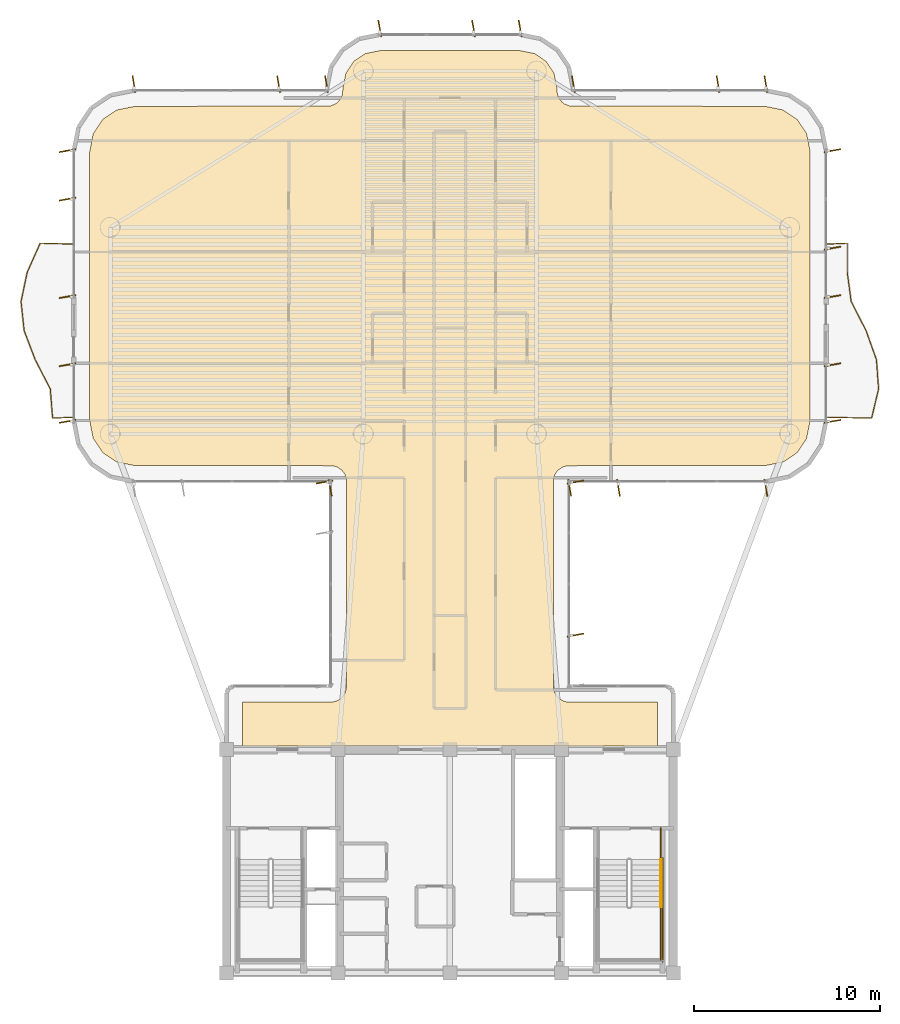
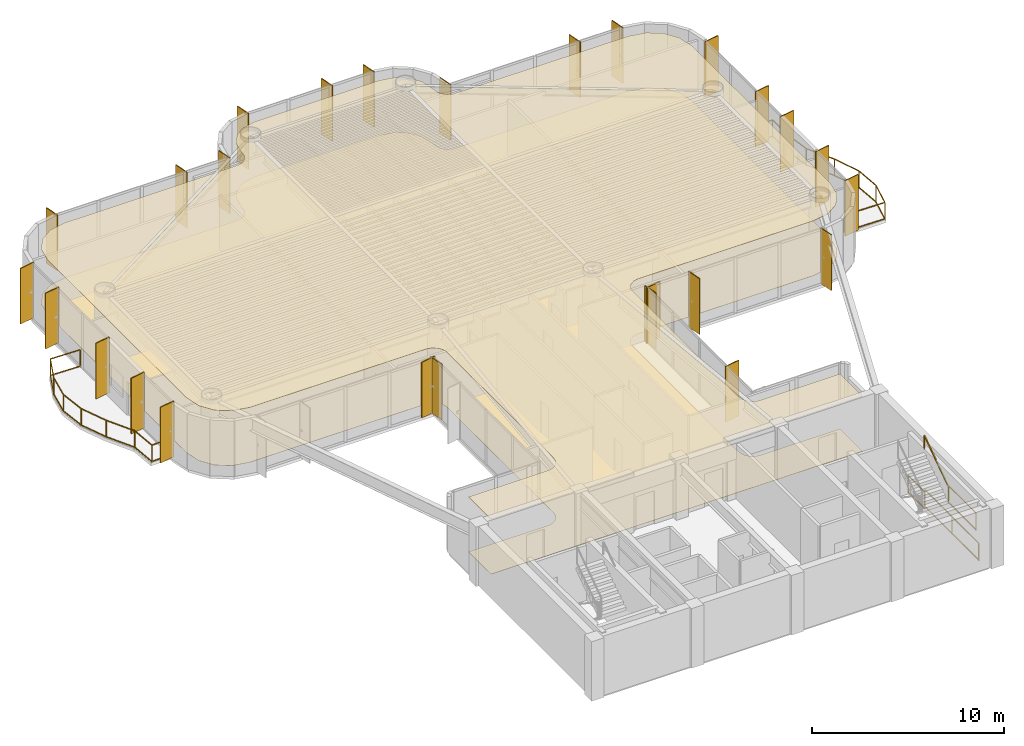
# One storey, part 15 of 15: 26 shading devices, 6 railings, 2 coverings.
"""IFC4 building model written with IfcOpenShell, lengths in metres."""

from ifc_helpers import new_model, si_unit, direction, frame, origin, origin_2d, place, context, subcontext, project, spatial, polyline, rectangle, outline, extrude, source, transform, mapped, material, layer, layer_set, material_profile, profile_set, type_object, element, save


model = new_model("IFC4")

# Units and contexts
model_context = context("Model", 3, precision=1e-05, world=origin(), true_north=direction((0.0, 1.0)))
body_context = subcontext(model_context, "Body", "Model", "MODEL_VIEW")
ifc_project = project(units=[si_unit("LENGTHUNIT", "METRE"), si_unit("AREAUNIT", "SQUARE_METRE"), si_unit("VOLUMEUNIT", "CUBIC_METRE"), si_unit("PLANEANGLEUNIT", "RADIAN"), si_unit("MASSUNIT", "GRAM", prefix="KILO")], contexts=[model_context])

# Site, building, storey
site_placement = place(None, origin())
site = spatial("IfcSite", under=ifc_project, at=site_placement, CompositionType="ELEMENT")
building_placement = place(site_placement, origin())
building = spatial("IfcBuilding", under=site, at=building_placement, Name="Brelvock Crest Care Tower", CompositionType="ELEMENT")
storey_placement = place(building_placement, frame((0.0, 0.0, 171.5400390625)))
storey = spatial("IfcBuildingStorey", under=building, at=storey_placement, Name="L43", CompositionType="ELEMENT", Elevation=171.5400390625)

# Coverings
ifc_material_1 = material(Name="Mineral Fibre Acoustic Ceiling Tile", Category="gypsum")
ifc_layer_1 = layer(ifc_material_1, 0.02490234375, Name="COV-CLG1")
ifc_layer_set_1 = layer_set([ifc_layer_1], Name="Mineral Fibre Acoustic Ceiling Tile")
covering_type_1 = type_object("IfcCoveringType", Name="COV-CLG1", PredefinedType="CEILING", material=ifc_layer_set_1)
covering_1_placement = place(storey_placement, frame((0.0, 0.0, 3.474853515625)))
element("IfcCovering", 1, at=covering_1_placement, inside=storey, type_object=covering_type_1, Name="L43 Acoustic Suspended Ceiling 1", PredefinedType="CEILING", context=body_context, shape_type="SweptSolid", body=[
    extrude(outline(polyline([(24.85009765625, 18.199951171875), (47.14990234375, 18.199951171875), (47.14990234375, 20.550048828125), (42.316650390625, 20.55419921875), (42.1533203125, 20.586669921875), (41.927734375, 20.693359375), (41.742919921875, 20.86083984375), (41.61474609375, 21.07470703125), (41.550048828125, 21.39990234375), (41.56640625, 32.56591796875), (41.650390625, 32.80078125), (41.799072265625, 33.0009765625), (42.07470703125, 33.185302734375), (42.316650390625, 33.245849609375), (52.916259765625, 33.25), (53.892822265625, 33.4443359375), (54.64990234375, 33.9501953125), (55.15576171875, 34.70703125), (55.35009765625, 35.68359375), (55.35009765625, 50.1162109375), (55.15576171875, 51.093017578125), (54.64990234375, 51.849853515625), (53.892822265625, 52.355712890625), (52.916259765625, 52.550048828125), (42.43408203125, 52.56640625), (42.127685546875, 52.693359375), (41.9990234375, 52.799072265625), (41.850341796875, 52.999267578125), (41.766357421875, 53.234130859375), (41.75, 53.516357421875), (41.586181640625, 54.33984375), (41.1669921875, 54.967041015625), (40.539794921875, 55.38623046875), (39.71630859375, 55.550048828125), (32.28369140625, 55.550048828125), (31.460205078125, 55.38623046875), (30.8330078125, 54.967041015625), (30.413818359375, 54.33984375), (30.25, 53.516357421875), (30.233642578125, 53.234130859375), (30.149658203125, 52.999267578125), (30.0009765625, 52.799072265625), (29.872314453125, 52.693359375), (29.56591796875, 52.56640625), (19.083740234375, 52.550048828125), (18.107177734375, 52.355712890625), (17.35009765625, 51.849853515625), (16.84423828125, 51.093017578125), (16.64990234375, 50.1162109375), (16.64990234375, 35.68359375), (16.84423828125, 34.70703125), (17.35009765625, 33.9501953125), (18.107177734375, 33.4443359375), (19.083740234375, 33.25), (29.683349609375, 33.245849609375), (29.92529296875, 33.185302734375), (30.200927734375, 33.0009765625), (30.349609375, 32.80078125), (30.43359375, 32.56591796875), (30.449951171875, 21.39990234375), (30.38525390625, 21.07470703125), (30.257080078125, 20.86083984375), (30.13916015625, 20.742919921875), (29.92529296875, 20.61474609375), (29.683349609375, 20.55419921875), (24.85009765625, 20.550048828125), (24.85009765625, 18.199951171875)])), origin(), (0.0, 0.0, 1.0), 0.025146484375),
])
ifc_material_2 = material(Name="Slip-Resistant Acoustic Vinyl Flooring", Category="finish")
ifc_layer_2 = layer(ifc_material_2, 0.014892578125, Name="COV-FLR1")
ifc_layer_set_2 = layer_set([ifc_layer_2], Name="Slip-Resistant Acoustic Vinyl Flooring")
covering_type_2 = type_object("IfcCoveringType", Name="COV-FLR1", PredefinedType="FLOORING", material=ifc_layer_set_2)
covering_2_placement = place(storey_placement, origin())
element("IfcCovering", 2, at=covering_2_placement, inside=storey, type_object=covering_type_2, Name="L43 Slip-Resistant Acoustic Flooring 1", PredefinedType="FLOORING", context=body_context, shape_type="SweptSolid", body=[
    extrude(outline(polyline([(24.85009765625, 18.199951171875), (47.14990234375, 18.199951171875), (47.14990234375, 20.550048828125), (42.316650390625, 20.55419921875), (42.1533203125, 20.586669921875), (41.927734375, 20.693359375), (41.742919921875, 20.86083984375), (41.61474609375, 21.07470703125), (41.550048828125, 21.39990234375), (41.56640625, 32.56591796875), (41.650390625, 32.80078125), (41.799072265625, 33.0009765625), (42.07470703125, 33.185302734375), (42.316650390625, 33.245849609375), (52.916259765625, 33.25), (53.892822265625, 33.4443359375), (54.64990234375, 33.9501953125), (55.15576171875, 34.70703125), (55.35009765625, 35.68359375), (55.35009765625, 50.1162109375), (55.15576171875, 51.093017578125), (54.64990234375, 51.849853515625), (53.892822265625, 52.355712890625), (52.916259765625, 52.550048828125), (42.43408203125, 52.56640625), (42.127685546875, 52.693359375), (41.9990234375, 52.799072265625), (41.850341796875, 52.999267578125), (41.766357421875, 53.234130859375), (41.75, 53.516357421875), (41.586181640625, 54.33984375), (41.1669921875, 54.967041015625), (40.539794921875, 55.38623046875), (39.71630859375, 55.550048828125), (32.28369140625, 55.550048828125), (31.460205078125, 55.38623046875), (30.8330078125, 54.967041015625), (30.413818359375, 54.33984375), (30.25, 53.516357421875), (30.233642578125, 53.234130859375), (30.149658203125, 52.999267578125), (30.0009765625, 52.799072265625), (29.872314453125, 52.693359375), (29.56591796875, 52.56640625), (19.083740234375, 52.550048828125), (18.107177734375, 52.355712890625), (17.35009765625, 51.849853515625), (16.84423828125, 51.093017578125), (16.64990234375, 50.1162109375), (16.64990234375, 35.68359375), (16.84423828125, 34.70703125), (17.35009765625, 33.9501953125), (18.107177734375, 33.4443359375), (19.083740234375, 33.25), (29.683349609375, 33.245849609375), (29.92529296875, 33.185302734375), (30.200927734375, 33.0009765625), (30.349609375, 32.80078125), (30.43359375, 32.56591796875), (30.449951171875, 21.39990234375), (30.38525390625, 21.07470703125), (30.257080078125, 20.86083984375), (30.13916015625, 20.742919921875), (29.92529296875, 20.61474609375), (29.683349609375, 20.55419921875), (24.85009765625, 20.550048828125), (24.85009765625, 18.199951171875)])), origin(), (0.0, 0.0, 1.0), 0.014892578125),
])

# Railings
ifc_material_3 = material(Name="Dark Glass Double Glazed Low-E", Category="glass")
ifc_layer_3 = layer(ifc_material_3, 0.06005859375, Name="RL-BAL1")
ifc_layer_set_3 = layer_set([ifc_layer_3], Name="Dark Glass Double Glazed Low-E")
railing_type_1 = type_object("IfcRailingType", Name="RL-BAL1", PredefinedType="BALUSTRADE", material=ifc_layer_set_3)
railing_1_placement = place(storey_placement, frame((15.760009765625, 35.85009765625, 0.00390625)))
element("IfcRailing", 3, at=railing_1_placement, inside=storey, type_object=railing_type_1, Name="L43 Safety Balustrade WB-W", PredefinedType="BALUSTRADE", context=body_context, shape_type="SweptSolid", body=[
    extrude(rectangle(XDim=0.048095703125, YDim=0.048095703125, at=origin_2d()), frame((-0.001953125, 0.0, 1.09619140625), z_axis=(-0.998966710972, -0.045447886318, 0.0), x_axis=(0.045447886318, -0.998966710972, 0.0)), (0.0, 0.0, 1.0), 1.09716796875),
    extrude(rectangle(XDim=0.048095703125, YDim=0.048095703125, at=origin_2d()), frame((-0.001953125, 0.0, 0.054931640625), z_axis=(-0.998966710972, -0.045447886318, 0.0), x_axis=(0.045447886318, -0.998966710972, 0.0)), (0.0, 0.0, 1.0), 1.09716796875),
    extrude(rectangle(XDim=0.048095703125, YDim=0.048095703125, at=origin_2d()), frame((-1.100341796875, -0.048095703125, 1.09619140625), z_axis=(-0.077219265236, 0.997014134843, 0.0), x_axis=(-0.997014134843, -0.077219265236, 0.0)), (0.0, 0.0, 1.0), 1.5673828125),
    extrude(rectangle(XDim=0.048095703125, YDim=0.048095703125, at=origin_2d()), frame((-1.100341796875, -0.048095703125, 0.054931640625), z_axis=(-0.077219265236, 0.997014134843, 0.0), x_axis=(-0.997014134843, -0.077219265236, 0.0)), (0.0, 0.0, 1.0), 1.5673828125),
    extrude(rectangle(XDim=0.048095703125, YDim=0.048095703125, at=origin_2d()), frame((-1.222412109375, 1.518310546875, 1.09619140625), z_axis=(-0.459189407307, 0.888338386099, 0.0), x_axis=(-0.888338386099, -0.459189407307, 0.0)), (0.0, 0.0, 1.0), 1.759521484375),
    extrude(rectangle(XDim=0.048095703125, YDim=0.048095703125, at=origin_2d()), frame((-1.222412109375, 1.518310546875, 0.054931640625), z_axis=(-0.459189407307, 0.888338386099, 0.0), x_axis=(-0.888338386099, -0.459189407307, 0.0)), (0.0, 0.0, 1.0), 1.759521484375),
    extrude(rectangle(XDim=0.048095703125, YDim=0.048095703125, at=origin_2d()), frame((-2.031982421875, 3.085205078125, 1.09619140625), z_axis=(-0.355922655104, 0.93451541645, 0.0), x_axis=(-0.93451541645, -0.355922655104, 0.0)), (0.0, 0.0, 1.0), 1.67236328125),
    extrude(rectangle(XDim=0.048095703125, YDim=0.048095703125, at=origin_2d()), frame((-2.031982421875, 3.085205078125, 0.054931640625), z_axis=(-0.355922655104, 0.93451541645, 0.0), x_axis=(-0.93451541645, -0.355922655104, 0.0)), (0.0, 0.0, 1.0), 1.67236328125),
    extrude(rectangle(XDim=0.048095703125, YDim=0.048095703125, at=origin_2d()), frame((-2.628173828125, 4.65185546875, 1.09619140625), z_axis=(-0.104612176701, 0.99451309317, 0.0), x_axis=(-0.99451309317, -0.104612176701, 0.0)), (0.0, 0.0, 1.0), 1.5712890625),
    extrude(rectangle(XDim=0.048095703125, YDim=0.048095703125, at=origin_2d()), frame((-2.628173828125, 4.65185546875, 0.054931640625), z_axis=(-0.104612176701, 0.99451309317, 0.0), x_axis=(-0.99451309317, -0.104612176701, 0.0)), (0.0, 0.0, 1.0), 1.5712890625),
    extrude(rectangle(XDim=0.048095703125, YDim=0.048095703125, at=origin_2d()), frame((-2.792236328125, 6.218505859375, 1.09619140625), z_axis=(0.204703423196, 0.978824043703, 0.0), x_axis=(-0.978824043703, 0.204703423196, 0.0)), (0.0, 0.0, 1.0), 1.596435546875),
    extrude(rectangle(XDim=0.048095703125, YDim=0.048095703125, at=origin_2d()), frame((-2.792236328125, 6.218505859375, 0.054931640625), z_axis=(0.204703423196, 0.978824043703, 0.0), x_axis=(-0.978824043703, 0.204703423196, 0.0)), (0.0, 0.0, 1.0), 1.596435546875),
    extrude(rectangle(XDim=0.048095703125, YDim=0.048095703125, at=origin_2d()), frame((-2.46435546875, 7.784912109375, 1.09619140625), z_axis=(0.407919874283, 0.913017730477, 0.0), x_axis=(-0.913017730477, 0.407919874283, 0.0)), (0.0, 0.0, 1.0), 1.7119140625),
    extrude(rectangle(XDim=0.048095703125, YDim=0.048095703125, at=origin_2d()), frame((-2.46435546875, 7.784912109375, 0.054931640625), z_axis=(0.407919874283, 0.913017730477, 0.0), x_axis=(-0.913017730477, 0.407919874283, 0.0)), (0.0, 0.0, 1.0), 1.7119140625),
    extrude(rectangle(XDim=0.048095703125, YDim=0.048095703125, at=origin_2d()), frame((-1.76318359375, 9.349853515625, 1.09619140625), z_axis=(0.999598265283, -0.028342689403, 0.0), x_axis=(0.028342689403, 0.999598265283, 0.0)), (0.0, 0.0, 1.0), 1.761962890625),
    extrude(rectangle(XDim=0.048095703125, YDim=0.048095703125, at=origin_2d()), frame((-1.76318359375, 9.349853515625, 0.054931640625), z_axis=(0.999598265283, -0.028342689403, 0.0), x_axis=(0.028342689403, 0.999598265283, 0.0)), (0.0, 0.0, 1.0), 1.761962890625),
    extrude(rectangle(XDim=0.0419921875, YDim=0.0419921875, at=origin_2d()), origin(), (0.0, 0.0, 1.0), 1.070068359375),
    extrude(rectangle(XDim=0.0419921875, YDim=0.0419921875, at=origin_2d()), frame((-1.10009765625, -0.050048828125, 0.0)), (0.0, 0.0, 1.0), 1.070068359375),
    extrude(rectangle(XDim=0.0419921875, YDim=0.0419921875, at=origin_2d()), frame((-1.221435546875, 1.5166015625, 0.0)), (0.0, 0.0, 1.0), 1.070068359375),
    extrude(rectangle(XDim=0.0419921875, YDim=0.0419921875, at=origin_2d()), frame((-2.03125, 3.083251953125, 0.0)), (0.0, 0.0, 1.0), 1.070068359375),
    extrude(rectangle(XDim=0.0419921875, YDim=0.0419921875, at=origin_2d()), frame((-2.6279296875, 4.64990234375, 0.0)), (0.0, 0.0, 1.0), 1.070068359375),
    extrude(rectangle(XDim=0.0419921875, YDim=0.0419921875, at=origin_2d()), frame((-2.792724609375, 6.216552734375, 0.0)), (0.0, 0.0, 1.0), 1.070068359375),
    extrude(rectangle(XDim=0.0419921875, YDim=0.0419921875, at=origin_2d()), frame((-2.465087890625, 7.783203125, 0.0)), (0.0, 0.0, 1.0), 1.070068359375),
    extrude(rectangle(XDim=0.0419921875, YDim=0.0419921875, at=origin_2d()), frame((-1.76513671875, 9.349853515625, 0.0)), (0.0, 0.0, 1.0), 1.070068359375),
    extrude(rectangle(XDim=0.0419921875, YDim=0.0419921875, at=origin_2d()), frame((0.0, 9.2998046875, 0.0)), (0.0, 0.0, 1.0), 1.070068359375),
])
railing_2_placement = place(storey_placement, frame((56.239990234375, 35.85009765625, 0.00390625)))
element("IfcRailing", 4, at=railing_2_placement, inside=storey, type_object=railing_type_1, Name="L43 Safety Balustrade WB-E", PredefinedType="BALUSTRADE", context=body_context, shape_type="SweptSolid", body=[
    extrude(rectangle(XDim=0.048095703125, YDim=0.048095703125, at=origin_2d()), frame((0.001953125, 0.0, 1.09619140625), z_axis=(0.999783452903, -0.020809788592, 0.0), x_axis=(0.020809788592, 0.999783452903, 0.0)), (0.0, 0.0, 1.0), 2.401123046875),
    extrude(rectangle(XDim=0.048095703125, YDim=0.048095703125, at=origin_2d()), frame((0.001953125, 0.0, 0.054931640625), z_axis=(0.999783452903, -0.020809788592, 0.0), x_axis=(0.020809788592, 0.999783452903, 0.0)), (0.0, 0.0, 1.0), 2.401123046875),
    extrude(rectangle(XDim=0.048095703125, YDim=0.048095703125, at=origin_2d()), frame((2.405029296875, -0.048095703125, 1.09619140625), z_axis=(0.233361490021, 0.972390052898, 0.0), x_axis=(-0.972390052898, 0.233361490021, 0.0)), (0.0, 0.0, 1.0), 1.607177734375),
    extrude(rectangle(XDim=0.048095703125, YDim=0.048095703125, at=origin_2d()), frame((2.405029296875, -0.048095703125, 0.054931640625), z_axis=(0.233361490021, 0.972390052898, 0.0), x_axis=(-0.972390052898, 0.233361490021, 0.0)), (0.0, 0.0, 1.0), 1.607177734375),
    extrude(rectangle(XDim=0.048095703125, YDim=0.048095703125, at=origin_2d()), frame((2.7802734375, 1.5185546875, 1.09619140625), z_axis=(-0.071346467425, 0.997451593605, 0.0), x_axis=(-0.997451593605, -0.071346467425, 0.0)), (0.0, 0.0, 1.0), 1.566650390625),
    extrude(rectangle(XDim=0.048095703125, YDim=0.048095703125, at=origin_2d()), frame((2.7802734375, 1.5185546875, 0.054931640625), z_axis=(-0.071346467425, 0.997451593605, 0.0), x_axis=(-0.997451593605, -0.071346467425, 0.0)), (0.0, 0.0, 1.0), 1.566650390625),
    extrude(rectangle(XDim=0.048095703125, YDim=0.048095703125, at=origin_2d()), frame((2.667724609375, 3.085205078125, 1.09619140625), z_axis=(-0.335973745247, 0.941871351356, 0.0), x_axis=(-0.941871351356, -0.335973745247, 0.0)), (0.0, 0.0, 1.0), 1.659423828125),
    extrude(rectangle(XDim=0.048095703125, YDim=0.048095703125, at=origin_2d()), frame((2.667724609375, 3.085205078125, 0.054931640625), z_axis=(-0.335973745247, 0.941871351356, 0.0), x_axis=(-0.941871351356, -0.335973745247, 0.0)), (0.0, 0.0, 1.0), 1.659423828125),
    extrude(rectangle(XDim=0.048095703125, YDim=0.048095703125, at=origin_2d()), frame((2.108642578125, 4.651611328125, 1.09619140625), z_axis=(-0.4551330635, 0.890423435512, 0.0), x_axis=(-0.890423435512, -0.4551330635, 0.0)), (0.0, 0.0, 1.0), 1.75537109375),
    extrude(rectangle(XDim=0.048095703125, YDim=0.048095703125, at=origin_2d()), frame((2.108642578125, 4.651611328125, 0.054931640625), z_axis=(-0.4551330635, 0.890423435512, 0.0), x_axis=(-0.890423435512, -0.4551330635, 0.0)), (0.0, 0.0, 1.0), 1.75537109375),
    extrude(rectangle(XDim=0.048095703125, YDim=0.048095703125, at=origin_2d()), frame((1.30859375, 6.218505859375, 1.09619140625), z_axis=(-0.132072655877, 0.99124003832, 0.0), x_axis=(-0.99124003832, -0.132072655877, 0.0)), (0.0, 0.0, 1.0), 1.576416015625),
    extrude(rectangle(XDim=0.048095703125, YDim=0.048095703125, at=origin_2d()), frame((1.30859375, 6.218505859375, 0.054931640625), z_axis=(-0.132072655877, 0.99124003832, 0.0), x_axis=(-0.99124003832, -0.132072655877, 0.0)), (0.0, 0.0, 1.0), 1.576416015625),
    extrude(rectangle(XDim=0.048095703125, YDim=0.048095703125, at=origin_2d()), frame((1.10009765625, 7.78515625, 1.09619140625), z_axis=(0.0, 1.0, 0.0), x_axis=(-1.0, 0.0, 0.0)), (0.0, 0.0, 1.0), 1.562744140625),
    extrude(rectangle(XDim=0.048095703125, YDim=0.048095703125, at=origin_2d()), frame((1.10009765625, 7.78515625, 0.054931640625), z_axis=(0.0, 1.0, 0.0), x_axis=(-1.0, 0.0, 0.0)), (0.0, 0.0, 1.0), 1.562744140625),
    extrude(rectangle(XDim=0.048095703125, YDim=0.048095703125, at=origin_2d()), frame((1.09814453125, 9.349853515625, 1.09619140625), z_axis=(-0.998966710972, -0.045447886318, 0.0), x_axis=(0.045447886318, -0.998966710972, 0.0)), (0.0, 0.0, 1.0), 1.09716796875),
    extrude(rectangle(XDim=0.048095703125, YDim=0.048095703125, at=origin_2d()), frame((1.09814453125, 9.349853515625, 0.054931640625), z_axis=(-0.998966710972, -0.045447886318, 0.0), x_axis=(0.045447886318, -0.998966710972, 0.0)), (0.0, 0.0, 1.0), 1.09716796875),
    extrude(rectangle(XDim=0.0419921875, YDim=0.0419921875, at=origin_2d()), origin(), (0.0, 0.0, 1.0), 1.070068359375),
    extrude(rectangle(XDim=0.0419921875, YDim=0.0419921875, at=origin_2d()), frame((2.404541015625, -0.050048828125, 0.0)), (0.0, 0.0, 1.0), 1.070068359375),
    extrude(rectangle(XDim=0.0419921875, YDim=0.0419921875, at=origin_2d()), frame((2.780517578125, 1.5166015625, 0.0)), (0.0, 0.0, 1.0), 1.070068359375),
    extrude(rectangle(XDim=0.0419921875, YDim=0.0419921875, at=origin_2d()), frame((2.66845703125, 3.083251953125, 0.0)), (0.0, 0.0, 1.0), 1.070068359375),
    extrude(rectangle(XDim=0.0419921875, YDim=0.0419921875, at=origin_2d()), frame((2.109619140625, 4.64990234375, 0.0)), (0.0, 0.0, 1.0), 1.070068359375),
    extrude(rectangle(XDim=0.0419921875, YDim=0.0419921875, at=origin_2d()), frame((1.308837890625, 6.216552734375, 0.0)), (0.0, 0.0, 1.0), 1.070068359375),
    extrude(rectangle(XDim=0.0419921875, YDim=0.0419921875, at=origin_2d()), frame((1.10009765625, 7.783203125, 0.0)), (0.0, 0.0, 1.0), 1.070068359375),
    extrude(rectangle(XDim=0.0419921875, YDim=0.0419921875, at=origin_2d()), frame((1.10009765625, 9.349853515625, 0.0)), (0.0, 0.0, 1.0), 1.070068359375),
    extrude(rectangle(XDim=0.0419921875, YDim=0.0419921875, at=origin_2d()), frame((0.0, 9.2998046875, 0.0)), (0.0, 0.0, 1.0), 1.070068359375),
])
ifc_material_4 = material(Name="Steel Grade 350", Category="steel")
ifc_layer_4 = layer(ifc_material_4, 0.050048828125, Name="RL-STG1")
ifc_layer_set_4 = layer_set([ifc_layer_4], Name="Steel Grade 350")
railing_type_2 = type_object("IfcRailingType", Name="RL-STG1", PredefinedType="GUARDRAIL", material=ifc_layer_set_4)
railing_3_placement = place(storey_placement, frame((47.320068359375, 9.56005859375, 1.889892578125)))
element("IfcRailing", 5, at=railing_3_placement, inside=storey, type_object=railing_type_2, Name="L43 ST-2 stair guard 4", PredefinedType="GUARDRAIL", context=body_context, shape_type="SweptSolid", body=[
    extrude(rectangle(XDim=0.048095703125, YDim=0.048095703125, at=origin_2d()), frame((0.0, -0.001953125, 1.11572265625), z_axis=(0.0, -1.0, 0.0), x_axis=(1.0, 0.0, 0.0)), (0.0, 0.0, 1.0), 2.856201171875),
    extrude(rectangle(XDim=0.048095703125, YDim=0.048095703125, at=origin_2d()), frame((0.0, -0.001953125, 0.054931640625), z_axis=(0.0, -1.0, 0.0), x_axis=(1.0, 0.0, 0.0)), (0.0, 0.0, 1.0), 2.856201171875),
    extrude(rectangle(XDim=0.0419921875, YDim=0.0419921875, at=origin_2d()), origin(), (0.0, 0.0, 1.0), 1.08984375),
    extrude(rectangle(XDim=0.0419921875, YDim=0.0419921875, at=origin_2d()), frame((0.0, -2.860107421875, 0.0)), (0.0, 0.0, 1.0), 1.08984375),
])
railing_4_placement = place(storey_placement, frame((47.320068359375, 13.780029296875, 0.0)))
element("IfcRailing", 6, at=railing_4_placement, inside=storey, type_object=railing_type_2, Name="L43 ST-2 stair guard 9", PredefinedType="GUARDRAIL", context=body_context, shape_type="SweptSolid", body=[
    extrude(rectangle(XDim=0.048095703125, YDim=0.048095703125, at=origin_2d()), frame((0.0, -0.001953125, 1.11572265625), z_axis=(0.0, -1.0, 0.0), x_axis=(1.0, 0.0, 0.0)), (0.0, 0.0, 1.0), 1.696044921875),
    extrude(rectangle(XDim=0.048095703125, YDim=0.048095703125, at=origin_2d()), frame((0.0, -0.001953125, 0.054931640625), z_axis=(0.0, -1.0, 0.0), x_axis=(1.0, 0.0, 0.0)), (0.0, 0.0, 1.0), 1.696044921875),
    extrude(rectangle(XDim=0.0419921875, YDim=0.0419921875, at=origin_2d()), origin(), (0.0, 0.0, 1.0), 1.08984375),
    extrude(rectangle(XDim=0.0419921875, YDim=0.0419921875, at=origin_2d()), frame((0.0, -1.699951171875, 0.0)), (0.0, 0.0, 1.0), 1.08984375),
])
railing_5_placement = place(storey_placement, frame((47.419921875, 12.179931640625, 0.0)))
element("IfcRailing", 7, at=railing_5_placement, inside=storey, type_object=railing_type_2, Name="L43 ST-2 stair guard 11", PredefinedType="GUARDRAIL", context=body_context, shape_type="SweptSolid", body=[
    extrude(rectangle(XDim=0.048095703125, YDim=0.048095703125, at=origin_2d()), frame((0.0, -0.001953125, 1.11572265625), z_axis=(0.0, -1.0, 0.0), x_axis=(1.0, 0.0, 0.0)), (0.0, 0.0, 1.0), 5.575927734375),
    extrude(rectangle(XDim=0.048095703125, YDim=0.048095703125, at=origin_2d()), frame((0.0, -0.001953125, 0.054931640625), z_axis=(0.0, -1.0, 0.0), x_axis=(1.0, 0.0, 0.0)), (0.0, 0.0, 1.0), 5.575927734375),
    extrude(rectangle(XDim=0.0419921875, YDim=0.0419921875, at=origin_2d()), origin(), (0.0, 0.0, 1.0), 1.08984375),
    extrude(rectangle(XDim=0.0419921875, YDim=0.0419921875, at=origin_2d()), frame((0.0, -2.7900390625, 0.0)), (0.0, 0.0, 1.0), 1.08984375),
    extrude(rectangle(XDim=0.0419921875, YDim=0.0419921875, at=origin_2d()), frame((0.0, -5.579833984375, 0.0)), (0.0, 0.0, 1.0), 1.08984375),
])
ifc_layer_5 = layer(ifc_material_4, 0.048095703125, Name="RL-STH1")
ifc_layer_set_5 = layer_set([ifc_layer_5], Name="Steel Grade 350")
railing_type_3 = type_object("IfcRailingType", Name="RL-STH1", PredefinedType="HANDRAIL", material=ifc_layer_set_5)
railing_6_placement = place(storey_placement, frame((47.320068359375, 9.56005859375, 2.078857421875)))
element("IfcRailing", 8, at=railing_6_placement, inside=storey, type_object=railing_type_3, Name="L43 ST-2 stair handrail 2", PredefinedType="HANDRAIL", context=body_context, shape_type="SweptSolid", body=[
    extrude(rectangle(XDim=0.048095703125, YDim=0.048095703125, at=origin_2d()), frame((0.0, 0.001708984375, 0.876953125), z_axis=(0.0, 0.82882447046, 0.559508710537), x_axis=(-1.0, 0.0, 0.0)), (0.0, 0.0, 1.0), 3.036376953125),
    extrude(rectangle(XDim=0.0419921875, YDim=0.0419921875, at=origin_2d()), origin(), (0.0, 0.0, 1.0), 0.849853515625),
    extrude(rectangle(XDim=0.0419921875, YDim=0.0419921875, at=origin_2d()), frame((0.0, 2.52001953125, 1.701171875)), (0.0, 0.0, 1.0), 0.849853515625),
])

# Shading devices
ifc_material_5 = material(Name="Aluminium 6063-T6", Category="aluminium")
ifc_material_profile = material_profile(ifc_material_5, rectangle(XDim=0.054931640625, YDim=0.89990234375, at=origin_2d()), Name="FIN55x900")
ifc_profile_set = profile_set([ifc_material_profile], Name="Aluminium 6063-T6")
shading_device_type = type_object("IfcShadingDeviceType", Name="SHD-FIN1", PredefinedType="USERDEFINED", material=ifc_profile_set)
shared_shape = source(origin(), body_context, "Body", "SweptSolid", [
    extrude(rectangle(XDim=0.054931640625, YDim=0.89990234375, at=origin_2d()), origin(), (0.0, 0.0, 1.0), 3.530029296875),
])
for number, where, z_axis, x_axis, name in (
    (9, (29.260009765625, 32.3701171875, 0.0), (0.0, 0.0, 1.0), (-0.173648177667, 0.984807753012, 0.0), "L43 Vertical Sunshade Fin E11-05"),
    (10, (29.570068359375, 32.06005859375, 0.0), (0.0, 0.0, 1.0), (-0.984807753012, -0.173648177667, 0.0), "L43 Vertical Sunshade Fin E12-01"),
    (11, (15.4599609375, 35.6298828125, 0.0), (0.0, 0.0, 1.0), (-0.173648177667, 0.984807753012, 0.0), "L43 Vertical Sunshade Fin E17A-01"),
    (12, (15.4599609375, 38.669921875, 0.0), (0.0, 0.0, 1.0), (-0.173648177667, 0.984807753012, 0.0), "L43 Vertical Sunshade Fin E17A-02"),
    (13, (15.4599609375, 42.330078125, 0.0), (0.0, 0.0, 1.0), (-0.173648177667, 0.984807753012, 0.0), "L43 Vertical Sunshade Fin E17B-01"),
    (14, (15.4599609375, 47.566650390625, 0.0), (0.0, 0.0, 1.0), (-0.173648177667, 0.984807753012, 0.0), "L43 Vertical Sunshade Fin E17B-03"),
    (15, (15.4599609375, 50.169921875, 0.0), (0.0, 0.0, 1.0), (-0.173648177667, 0.984807753012, 0.0), "L43 Vertical Sunshade Fin E17B-04"),
    (16, (19.030029296875, 53.739990234375, 0.0), (0.0, 0.0, 1.0), (0.984807753012, 0.173648177667, 0.0), "L43 Vertical Sunshade Fin E22-01"),
    (17, (26.800048828125, 53.739990234375, 0.0), (0.0, 0.0, 1.0), (0.984807753012, 0.173648177667, 0.0), "L43 Vertical Sunshade Fin E22-04"),
    (18, (29.3701171875, 53.739990234375, 0.0), (0.0, 0.0, 1.0), (0.984807753012, 0.173648177667, 0.0), "L43 Vertical Sunshade Fin E22-05"),
    (19, (32.22998046875, 56.739990234375, 0.0), (0.0, 0.0, 1.0), (0.984807753012, 0.173648177667, 0.0), "L43 Vertical Sunshade Fin E28-01"),
    (20, (37.2666015625, 56.739990234375, 0.0), (0.0, 0.0, 1.0), (0.984807753012, 0.173648177667, 0.0), "L43 Vertical Sunshade Fin E28-03"),
    (21, (39.77001953125, 56.739990234375, 0.0), (0.0, 0.0, 1.0), (0.984807753012, 0.173648177667, 0.0), "L43 Vertical Sunshade Fin E28-04"),
    (22, (42.6298828125, 53.739990234375, 0.0), (0.0, 0.0, 1.0), (0.984807753012, 0.173648177667, 0.0), "L43 Vertical Sunshade Fin E34-01"),
    (23, (50.39990234375, 53.739990234375, 0.0), (0.0, 0.0, 1.0), (0.984807753012, 0.173648177667, 0.0), "L43 Vertical Sunshade Fin E34-04"),
    (24, (52.969970703125, 53.739990234375, 0.0), (0.0, 0.0, 1.0), (0.984807753012, 0.173648177667, 0.0), "L43 Vertical Sunshade Fin E34-05"),
    (25, (56.5400390625, 50.169921875, 0.0), (0.0, 0.0, 1.0), (0.173648177667, -0.984807753012, 0.0), "L43 Vertical Sunshade Fin E39A-01"),
    (26, (56.5400390625, 44.933349609375, 0.0), (0.0, 0.0, 1.0), (0.173648177667, -0.984807753012, 0.0), "L43 Vertical Sunshade Fin E39A-03"),
    (27, (56.5400390625, 42.330078125, 0.0), (0.0, 0.0, 1.0), (0.173648177667, -0.984807753012, 0.0), "L43 Vertical Sunshade Fin E39A-04"),
    (28, (56.5400390625, 38.669921875, 0.0), (0.0, 0.0, 1.0), (0.173648177667, -0.984807753012, 0.0), "L43 Vertical Sunshade Fin E39B-01"),
    (29, (56.5400390625, 35.6298828125, 0.0), (0.0, 0.0, 1.0), (0.173648177667, -0.984807753012, 0.0), "L43 Vertical Sunshade Fin E39B-02"),
    (30, (52.969970703125, 32.06005859375, 0.0), (0.0, 0.0, 1.0), (-0.984807753012, -0.173648177667, 0.0), "L43 Vertical Sunshade Fin E44-01"),
    (31, (45.050048828125, 32.06005859375, 0.0), (0.0, 0.0, 1.0), (-0.984807753012, -0.173648177667, 0.0), "L43 Vertical Sunshade Fin E44-04"),
    (32, (42.429931640625, 32.06005859375, 0.0), (0.0, 0.0, 1.0), (-0.984807753012, -0.173648177667, 0.0), "L43 Vertical Sunshade Fin E44-05"),
    (33, (42.739990234375, 32.3701171875, 0.0), (0.0, 0.0, 1.0), (0.173648177667, -0.984807753012, 0.0), "L43 Vertical Sunshade Fin E45-01"),
    (34, (42.739990234375, 24.14990234375, 0.0), (0.0, 0.0, 1.0), (0.173648177667, -0.984807753012, 0.0), "L43 Vertical Sunshade Fin E45-04"),
):
    element("IfcShadingDevice", number, at=place(storey_placement, frame(where, z_axis=z_axis, x_axis=x_axis)), inside=storey, type_object=shading_device_type, Name=name, ObjectType="FIN", PredefinedType="USERDEFINED", context=body_context, shape_type="MappedRepresentation", body=[
        mapped(shared_shape, transform((0.0, 0.0, 0.0), x_axis=(1.0, 0.0, 0.0), y_axis=(0.0, 1.0, 0.0), z_axis=(0.0, 0.0, 1.0), scale=1.0)),
    ])

save(model, "model.ifc")
